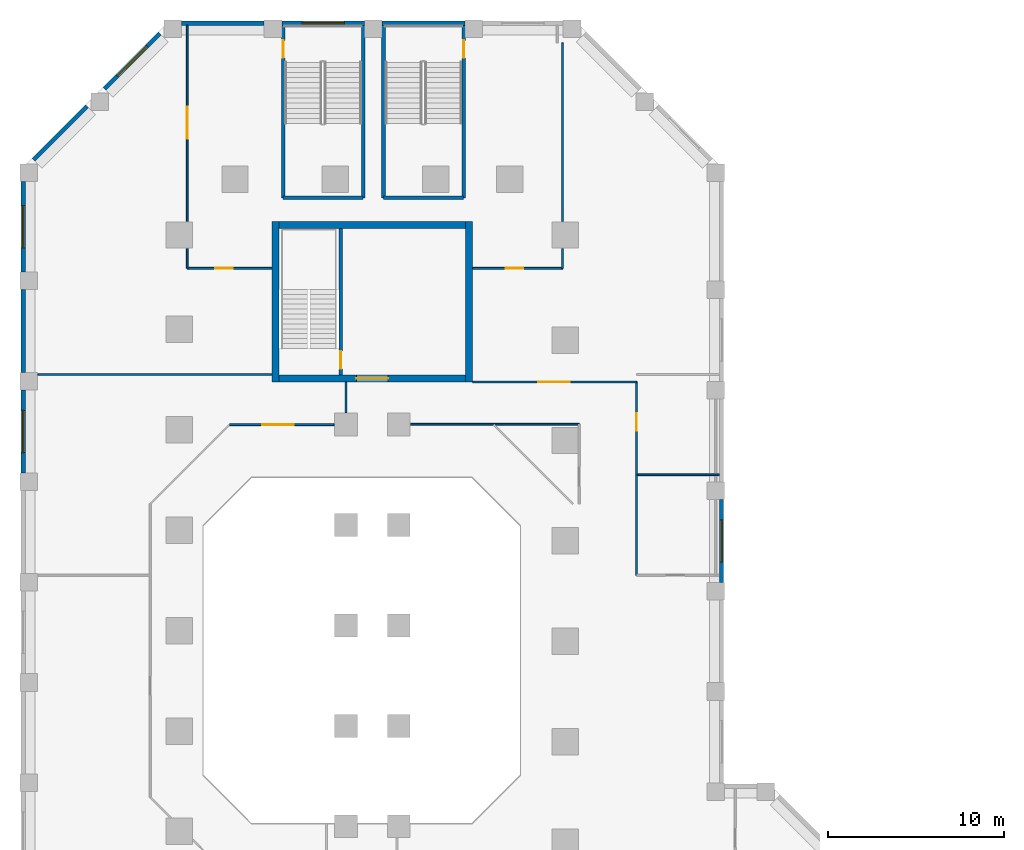
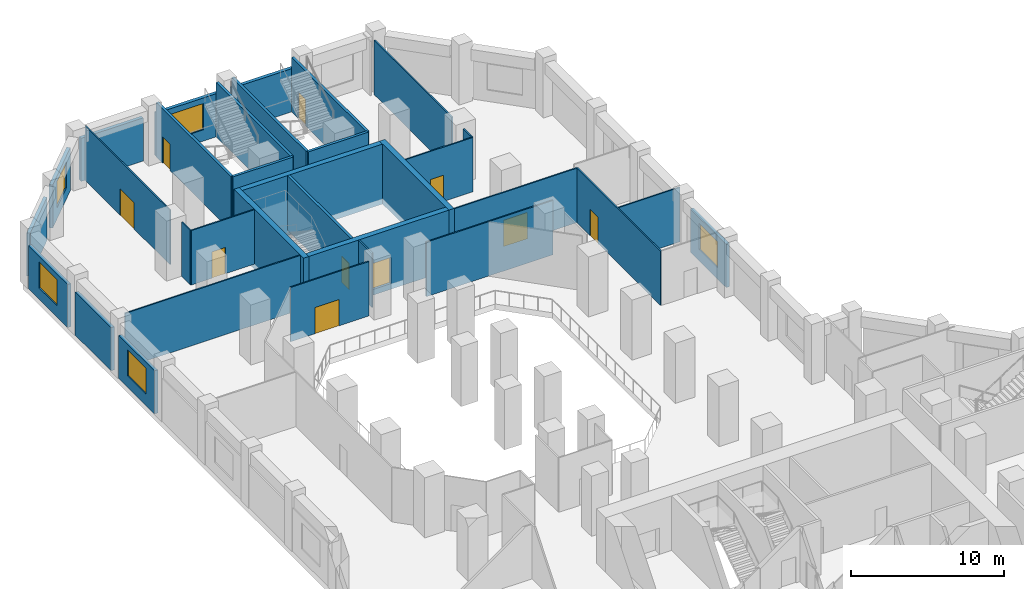
# One storey, part 9 of 16: 33 walls, 10 doors, 5 windows, 15 openings.
"""IFC4 building model written with IfcOpenShell, lengths in metres."""

from ifc_helpers import new_model, si_unit, direction, frame, frame_2d, origin, place, context, subcontext, project, spatial, rectangle, extrude, material, layer, layer_set, type_object, element, fill, save


model = new_model("IFC4")

# Units and contexts
model_context = context("Model", 3, precision=1e-05, world=origin(), true_north=direction((0.0, 1.0)))
body_context = subcontext(model_context, "Body", "Model", "MODEL_VIEW")
ifc_project = project(units=[si_unit("LENGTHUNIT", "METRE"), si_unit("AREAUNIT", "SQUARE_METRE"), si_unit("VOLUMEUNIT", "CUBIC_METRE"), si_unit("PLANEANGLEUNIT", "RADIAN"), si_unit("MASSUNIT", "GRAM", prefix="KILO")], contexts=[model_context])

# Site, building, storey
site_placement = place(None, origin())
site = spatial("IfcSite", under=ifc_project, at=site_placement, CompositionType="ELEMENT")
building_placement = place(site_placement, origin())
building = spatial("IfcBuilding", under=site, at=building_placement, Name="Meshkara Civic Tower", CompositionType="ELEMENT")
storey_placement = place(building_placement, frame((0.0, 0.0, 18.60009765625)))
storey = spatial("IfcBuildingStorey", under=building, at=storey_placement, Name="L03", CompositionType="ELEMENT", Elevation=18.60009765625)

# Wall, opening, door
ifc_material_1 = material(Name="Corridor wall 100")
ifc_layer_1 = layer(ifc_material_1, 0.10009765625)
ifc_layer_set_1 = layer_set([ifc_layer_1], Name="Corridor wall 100")
wall_type_1 = type_object("IfcWallType", Name="Corridor wall 100", PredefinedType="PARTITIONING", material=ifc_layer_set_1)
wall_1_placement = place(storey_placement, frame((0.89990234375, 77.719970703125, 0.0), z_axis=(0.0, 0.0, 1.0), x_axis=(1.0, 0.0, 0.0)))
wall_1 = element("IfcWall", 1, at=wall_1_placement, inside=storey, type_object=wall_type_1, Name="L03-R003", PredefinedType="PARTITIONING", context=body_context, shape_type="SweptSolid", body=[
    extrude(rectangle(XDim=4.800048828125, YDim=0.10009765625, at=frame_2d((2.39990234375, 0.0))), origin(), (0.0, 0.0, 1.0), 4.349853515625),
])
opening_1_placement = place(wall_1_placement, frame((1.580078125, 0.0, 0.0)))
opening_1 = element("IfcOpeningElement", 2, at=opening_1_placement, cuts=wall_1, Name="Opening L03-P036", PredefinedType="OPENING", context=body_context, shape_type="SweptSolid", body=[
    extrude(rectangle(XDim=1.0, YDim=2.10009765625, at=frame_2d((0.5, 1.050048828125))), frame((0.0, 0.06005859375, 0.0), z_axis=(0.0, -1.0, 0.0), x_axis=(1.0, 0.0, 0.0)), (0.0, 0.0, 1.0), 0.1201171875),
])
ifc_material_2 = material(Name="Door 1000 x 2100")
door_type_1 = type_object("IfcDoorType", Name="Door 1000 x 2100", OperationType="SINGLE_SWING_LEFT", PredefinedType="DOOR", material=ifc_material_2)
door_1_placement = place(opening_1_placement, origin())
door_1 = element("IfcDoor", 3, at=door_1_placement, inside=storey, type_object=door_type_1, Name="L03-P036", OperationType="SINGLE_SWING_RIGHT", OverallHeight=2.10009765625, OverallWidth=1.0, PredefinedType="DOOR", context=body_context, shape_type="SweptSolid", body=[
    extrude(rectangle(XDim=1.0, YDim=2.10009765625, at=frame_2d((0.5, 1.050048828125))), frame((0.0, 0.02490234375, 0.0), z_axis=(0.0, -1.0, 0.0), x_axis=(1.0, 0.0, 0.0)), (0.0, 0.0, 1.0), 0.050048828125),
])
fill(opening_1, door_1)

# Wall
wall_2_placement = place(storey_placement, frame((0.89990234375, 78.843994140625, 0.0), z_axis=(0.0, 0.0, 1.0), x_axis=(0.0, -1.0, 0.0)))
element("IfcWall", 4, at=wall_2_placement, inside=storey, type_object=wall_type_1, Name="L03-R004", PredefinedType="PARTITIONING", context=body_context, shape_type="SweptSolid", body=[
    extrude(rectangle(XDim=1.1240234375, YDim=0.10009765625, at=frame_2d((0.56201171875, 0.0))), origin(), (0.0, 0.0, 1.0), 4.349853515625),
])

# Wall, opening, door
wall_3_placement = place(storey_placement, frame((0.89990234375, 91.52001953125, 0.0), z_axis=(0.0, 0.0, 1.0), x_axis=(0.0, -1.0, 0.0)))
wall_3 = element("IfcWall", 5, at=wall_3_placement, inside=storey, type_object=wall_type_1, Name="L03-R005", PredefinedType="PARTITIONING", context=body_context, shape_type="SweptSolid", body=[
    extrude(rectangle(XDim=11.135986328125, YDim=0.10009765625, at=frame_2d((5.56787109375, 0.0))), origin(), (0.0, 0.0, 1.0), 4.349853515625),
])
opening_2_placement = place(wall_3_placement, frame((4.6298828125, 0.0, 0.0)))
opening_2 = element("IfcOpeningElement", 6, at=opening_2_placement, cuts=wall_3, Name="Opening L03-P038", PredefinedType="OPENING", context=body_context, shape_type="SweptSolid", body=[
    extrude(rectangle(XDim=1.800048828125, YDim=2.10009765625, at=frame_2d((0.89990234375, 1.050048828125))), frame((0.0, 0.06005859375, 0.0), z_axis=(0.0, -1.0, 0.0), x_axis=(1.0, 0.0, 0.0)), (0.0, 0.0, 1.0), 0.1201171875),
])
ifc_material_3 = material(Name="Door pair 1800 x 2100")
door_type_2 = type_object("IfcDoorType", Name="Door pair 1800 x 2100", OperationType="SINGLE_SWING_LEFT", PredefinedType="DOOR", material=ifc_material_3)
door_2_placement = place(opening_2_placement, origin())
door_2 = element("IfcDoor", 7, at=door_2_placement, inside=storey, type_object=door_type_2, Name="L03-P038", OperationType="DOUBLE_DOOR_SINGLE_SWING", OverallHeight=2.10009765625, OverallWidth=1.800048828125, PredefinedType="DOOR", context=body_context, shape_type="SweptSolid", body=[
    extrude(rectangle(XDim=1.800048828125, YDim=2.10009765625, at=frame_2d((0.89990234375, 1.050048828125))), frame((0.0, 0.02490234375, 0.0), z_axis=(0.0, -1.0, 0.0), x_axis=(1.0, 0.0, 0.0)), (0.0, 0.0, 1.0), 0.050048828125),
])
fill(opening_2, door_2)

wall_4_placement = place(storey_placement, frame((9.22998046875, 68.85009765625, 0.0), z_axis=(0.0, 0.0, 1.0), x_axis=(-1.0, 0.0, 0.0)))
wall_4 = element("IfcWall", 8, at=wall_4_placement, inside=storey, type_object=wall_type_1, Name="L03-R017", PredefinedType="PARTITIONING", context=body_context, shape_type="SweptSolid", body=[
    extrude(rectangle(XDim=5.929931640625, YDim=0.10009765625, at=frame_2d((2.96484375, 0.0))), origin(), (0.0, 0.0, 1.0), 4.349853515625),
])
opening_3_placement = place(wall_4_placement, frame((2.280029296875, 0.0, 0.0)))
opening_3 = element("IfcOpeningElement", 9, at=opening_3_placement, cuts=wall_4, Name="Opening L03-P033", PredefinedType="OPENING", context=body_context, shape_type="SweptSolid", body=[
    extrude(rectangle(XDim=1.800048828125, YDim=2.10009765625, at=frame_2d((0.89990234375, 1.050048828125))), frame((0.0, 0.06005859375, 0.0), z_axis=(0.0, -1.0, 0.0), x_axis=(1.0, 0.0, 0.0)), (0.0, 0.0, 1.0), 0.1201171875),
])
door_3_placement = place(opening_3_placement, origin())
door_3 = element("IfcDoor", 10, at=door_3_placement, inside=storey, type_object=door_type_2, Name="L03-P033", OperationType="DOUBLE_DOOR_SINGLE_SWING", OverallHeight=2.10009765625, OverallWidth=1.800048828125, PredefinedType="DOOR", context=body_context, shape_type="SweptSolid", body=[
    extrude(rectangle(XDim=1.800048828125, YDim=2.10009765625, at=frame_2d((0.89990234375, 1.050048828125))), frame((0.0, 0.02490234375, 0.0), z_axis=(0.0, -1.0, 0.0), x_axis=(1.0, 0.0, 0.0)), (0.0, 0.0, 1.0), 0.050048828125),
])
fill(opening_3, door_3)

# Walls
wall_5_placement = place(storey_placement, frame((9.89990234375, 71.27001953125, 0.0), z_axis=(0.0, 0.0, 1.0), x_axis=(0.0, -1.0, 0.0)))
element("IfcWall", 11, at=wall_5_placement, inside=storey, type_object=wall_type_1, Name="L03-R018", PredefinedType="PARTITIONING", context=body_context, shape_type="SweptSolid", body=[
    extrude(rectangle(XDim=1.75, YDim=0.10009765625, at=frame_2d((0.875, 0.0))), origin(), (0.0, 0.0, 1.0), 4.349853515625),
])
wall_6_placement = place(storey_placement, frame((13.570068359375, 68.8701171875, 0.0), z_axis=(0.0, 0.0, 1.0), x_axis=(1.0, 0.0, 0.0)))
element("IfcWall", 12, at=wall_6_placement, inside=storey, type_object=wall_type_1, Name="L03-R024", PredefinedType="PARTITIONING", context=body_context, shape_type="SweptSolid", body=[
    extrude(rectangle(XDim=9.579833984375, YDim=0.10009765625, at=frame_2d((4.7900390625, 0.0))), origin(), (0.0, 0.0, 1.0), 4.349853515625),
])

# Wall, opening, door
wall_7_placement = place(storey_placement, frame((17.10009765625, 77.719970703125, 0.0), z_axis=(0.0, 0.0, 1.0), x_axis=(1.0, 0.0, 0.0)))
wall_7 = element("IfcWall", 13, at=wall_7_placement, inside=storey, type_object=wall_type_1, Name="L03-R027", PredefinedType="PARTITIONING", context=body_context, shape_type="SweptSolid", body=[
    extrude(rectangle(XDim=5.099853515625, YDim=0.10009765625, at=frame_2d((2.5498046875, 0.0))), origin(), (0.0, 0.0, 1.0), 4.349853515625),
])
opening_4_placement = place(wall_7_placement, frame((1.8798828125, 0.0, 0.0)))
opening_4 = element("IfcOpeningElement", 14, at=opening_4_placement, cuts=wall_7, Name="Opening L03-P037", PredefinedType="OPENING", context=body_context, shape_type="SweptSolid", body=[
    extrude(rectangle(XDim=1.0, YDim=2.10009765625, at=frame_2d((0.5, 1.050048828125))), frame((0.0, 0.06005859375, 0.0), z_axis=(0.0, -1.0, 0.0), x_axis=(1.0, 0.0, 0.0)), (0.0, 0.0, 1.0), 0.1201171875),
])
door_4_placement = place(opening_4_placement, origin())
door_4 = element("IfcDoor", 15, at=door_4_placement, inside=storey, type_object=door_type_1, Name="L03-P037", OperationType="SINGLE_SWING_LEFT", OverallHeight=2.10009765625, OverallWidth=1.0, PredefinedType="DOOR", context=body_context, shape_type="SweptSolid", body=[
    extrude(rectangle(XDim=1.0, YDim=2.10009765625, at=frame_2d((0.5, 1.050048828125))), frame((0.0, 0.02490234375, 0.0), z_axis=(0.0, -1.0, 0.0), x_axis=(1.0, 0.0, 0.0)), (0.0, 0.0, 1.0), 0.050048828125),
])
fill(opening_4, door_4)

# Walls
wall_8_placement = place(storey_placement, frame((22.199951171875, 77.719970703125, 0.0), z_axis=(0.0, 0.0, 1.0), x_axis=(0.0, 1.0, 0.0)))
element("IfcWall", 16, at=wall_8_placement, inside=storey, type_object=wall_type_1, Name="L03-R030", PredefinedType="PARTITIONING", context=body_context, shape_type="SweptSolid", body=[
    extrude(rectangle(XDim=1.1240234375, YDim=0.10009765625, at=frame_2d((0.56201171875, 0.0))), origin(), (0.0, 0.0, 1.0), 4.349853515625),
])
wall_9_placement = place(storey_placement, frame((22.199951171875, 80.384033203125, 0.0), z_axis=(0.0, 0.0, 1.0), x_axis=(0.0, 1.0, 0.0)))
element("IfcWall", 17, at=wall_9_placement, inside=storey, type_object=wall_type_1, Name="L03-R031", PredefinedType="PARTITIONING", context=body_context, shape_type="SweptSolid", body=[
    extrude(rectangle(XDim=10.135986328125, YDim=0.10009765625, at=frame_2d((5.06787109375, 0.0))), origin(), (0.0, 0.0, 1.0), 4.349853515625),
])

# Wall, opening, door
wall_10_placement = place(storey_placement, frame((26.39990234375, 71.27001953125, 0.0), z_axis=(0.0, 0.0, 1.0), x_axis=(-1.0, 0.0, 0.0)))
wall_10 = element("IfcWall", 18, at=wall_10_placement, inside=storey, type_object=wall_type_1, Name="L03-R035", PredefinedType="PARTITIONING", context=body_context, shape_type="SweptSolid", body=[
    extrude(rectangle(XDim=9.2998046875, YDim=0.10009765625, at=frame_2d((4.64990234375, 0.0))), origin(), (0.0, 0.0, 1.0), 4.349853515625),
])
opening_5_placement = place(wall_10_placement, frame((3.780029296875, 0.0, 0.0)))
opening_5 = element("IfcOpeningElement", 19, at=opening_5_placement, cuts=wall_10, Name="Opening L03-P034", PredefinedType="OPENING", context=body_context, shape_type="SweptSolid", body=[
    extrude(rectangle(XDim=1.800048828125, YDim=2.10009765625, at=frame_2d((0.89990234375, 1.050048828125))), frame((0.0, 0.06005859375, 0.0), z_axis=(0.0, -1.0, 0.0), x_axis=(1.0, 0.0, 0.0)), (0.0, 0.0, 1.0), 0.1201171875),
])
door_5_placement = place(opening_5_placement, origin())
door_5 = element("IfcDoor", 20, at=door_5_placement, inside=storey, type_object=door_type_2, Name="L03-P034", OperationType="DOUBLE_DOOR_SINGLE_SWING", OverallHeight=2.10009765625, OverallWidth=1.800048828125, PredefinedType="DOOR", context=body_context, shape_type="SweptSolid", body=[
    extrude(rectangle(XDim=1.800048828125, YDim=2.10009765625, at=frame_2d((0.89990234375, 1.050048828125))), frame((0.0, 0.02490234375, 0.0), z_axis=(0.0, -1.0, 0.0), x_axis=(1.0, 0.0, 0.0)), (0.0, 0.0, 1.0), 0.050048828125),
])
fill(opening_5, door_5)

wall_11_placement = place(storey_placement, frame((26.39990234375, 71.27001953125, 0.0), z_axis=(0.0, 0.0, 1.0), x_axis=(0.0, -1.0, 0.0)))
wall_11 = element("IfcWall", 21, at=wall_11_placement, inside=storey, type_object=wall_type_1, Name="L03-R036", PredefinedType="PARTITIONING", context=body_context, shape_type="SweptSolid", body=[
    extrude(rectangle(XDim=10.969970703125, YDim=0.10009765625, at=frame_2d((5.48486328125, 0.0))), origin(), (0.0, 0.0, 1.0), 4.349853515625),
])
opening_6_placement = place(wall_11_placement, frame((1.780029296875, 0.0, 0.0)))
opening_6 = element("IfcOpeningElement", 22, at=opening_6_placement, cuts=wall_11, Name="Opening L03-P035", PredefinedType="OPENING", context=body_context, shape_type="SweptSolid", body=[
    extrude(rectangle(XDim=1.0, YDim=2.10009765625, at=frame_2d((0.5, 1.050048828125))), frame((0.0, 0.06005859375, 0.0), z_axis=(0.0, -1.0, 0.0), x_axis=(1.0, 0.0, 0.0)), (0.0, 0.0, 1.0), 0.1201171875),
])
door_6_placement = place(opening_6_placement, origin())
door_6 = element("IfcDoor", 23, at=door_6_placement, inside=storey, type_object=door_type_1, Name="L03-P035", OperationType="SINGLE_SWING_LEFT", OverallHeight=2.10009765625, OverallWidth=1.0, PredefinedType="DOOR", context=body_context, shape_type="SweptSolid", body=[
    extrude(rectangle(XDim=1.0, YDim=2.10009765625, at=frame_2d((0.5, 1.050048828125))), frame((0.0, 0.02490234375, 0.0), z_axis=(0.0, -1.0, 0.0), x_axis=(1.0, 0.0, 0.0)), (0.0, 0.0, 1.0), 0.050048828125),
])
fill(opening_6, door_6)

# Walls
ifc_material_4 = material(Name="Concrete C80", Category="concrete")
ifc_layer_2 = layer(ifc_material_4, 0.39990234375)
ifc_layer_set_2 = layer_set([ifc_layer_2], Name="End core ring wall 400 C80")
wall_type_2 = type_object("IfcWallType", Name="End core ring wall 400 C80", PredefinedType="SHEAR", material=ifc_layer_set_2)
for number, where, z_axis, x_axis, name in (
    (24, (5.89990234375, 71.27001953125, -0.4501953125), (0.0, 0.0, 1.0), (0.0, 1.0, 0.0), "L03-C025"),
    (25, (16.89990234375, 71.27001953125, -0.4501953125), (0.0, 0.0, 1.0), (0.0, 1.0, 0.0), "L03-C026"),
):
    element("IfcWall", number, at=place(storey_placement, frame(where, z_axis=z_axis, x_axis=x_axis)), inside=storey, type_object=wall_type_2, Name=name, PredefinedType="SHEAR", context=body_context, shape_type="SweptSolid", body=[
        extrude(rectangle(XDim=9.10009765625, YDim=0.39990234375, at=frame_2d((4.550048828125, 0.0))), origin(), (0.0, 0.0, 1.0), 4.800048828125),
    ])

# Wall, opening, door
wall_12_placement = place(storey_placement, frame((6.10009765625, 71.469970703125, -0.4501953125), z_axis=(0.0, 0.0, 1.0), x_axis=(1.0, 0.0, 0.0)))
wall_12 = element("IfcWall", 26, at=wall_12_placement, inside=storey, type_object=wall_type_2, Name="L03-C027", PredefinedType="SHEAR", context=body_context, shape_type="SweptSolid", body=[
    extrude(rectangle(XDim=10.599853515625, YDim=0.39990234375, at=frame_2d((5.2998046875, 0.0))), origin(), (0.0, 0.0, 1.0), 4.800048828125),
])
opening_7_placement = place(wall_12_placement, frame((4.39990234375, 0.0, 0.449951171875)))
opening_7 = element("IfcOpeningElement", 27, at=opening_7_placement, cuts=wall_12, Name="Opening L03-K102", PredefinedType="OPENING", context=body_context, shape_type="SweptSolid", body=[
    extrude(rectangle(XDim=1.800048828125, YDim=2.10009765625, at=frame_2d((0.89990234375, 1.050048828125))), frame((0.0, 0.2099609375, 0.0), z_axis=(0.0, -1.0, 0.0), x_axis=(1.0, 0.0, 0.0)), (0.0, 0.0, 1.0), 0.419921875),
])
ifc_material_5 = material(Name="Fire-rated door leaf in steel frame", Category="steel")
door_type_3 = type_object("IfcDoorType", Name="Core double door 1800 EI 60", OperationType="DOUBLE_DOOR_SINGLE_SWING", PredefinedType="DOOR", material=ifc_material_5)
door_7_placement = place(opening_7_placement, origin())
door_7 = element("IfcDoor", 28, at=door_7_placement, inside=storey, type_object=door_type_3, Name="L03-K102", OperationType="DOUBLE_DOOR_SINGLE_SWING", OverallHeight=2.10009765625, OverallWidth=1.800048828125, PredefinedType="DOOR", context=body_context, shape_type="SweptSolid", body=[
    extrude(rectangle(XDim=1.800048828125, YDim=2.10009765625, at=frame_2d((0.89990234375, 1.050048828125))), frame((0.0, 0.02490234375, 0.0), z_axis=(0.0, -1.0, 0.0), x_axis=(1.0, 0.0, 0.0)), (0.0, 0.0, 1.0), 0.050048828125),
])
fill(opening_7, door_7)

# Walls
wall_13_placement = place(storey_placement, frame((6.10009765625, 80.169921875, -0.4501953125), z_axis=(0.0, 0.0, 1.0), x_axis=(1.0, 0.0, 0.0)))
element("IfcWall", 29, at=wall_13_placement, inside=storey, type_object=wall_type_2, Name="L03-C028", PredefinedType="SHEAR", context=body_context, shape_type="SweptSolid", body=[
    extrude(rectangle(XDim=10.599853515625, YDim=0.39990234375, at=frame_2d((5.2998046875, 0.0))), origin(), (0.0, 0.0, 1.0), 4.800048828125),
])
ifc_material_6 = material(Name="Stone cladding on insulated backing wall", Category="masonry")
ifc_layer_3 = layer(ifc_material_6, 0.25)
ifc_layer_set_3 = layer_set([ifc_layer_3], Name="PODIUM STONE WALL 250")
wall_type_3 = type_object("IfcWallType", Name="PODIUM STONE WALL 250", PredefinedType="SOLIDWALL", material=ifc_layer_set_3)
wall_14_placement = place(storey_placement, frame((16.6640625, 91.64501953125, 0.0), z_axis=(0.0, 0.0, 1.0), x_axis=(-1.0, 0.0, 0.0)))
element("IfcWall", 30, at=wall_14_placement, inside=storey, type_object=wall_type_3, Name="Podium external wall", PredefinedType="SOLIDWALL", context=body_context, shape_type="SweptSolid", body=[
    extrude(rectangle(XDim=4.699951171875, YDim=0.25, at=frame_2d((2.35009765625, 0.0))), origin(), (0.0, 0.0, 1.0), 3.449951171875),
])

# Wall, opening, window
wall_15_placement = place(storey_placement, frame((10.964111328125, 91.64501953125, 0.0), z_axis=(0.0, 0.0, 1.0), x_axis=(-1.0, 0.0, 0.0)))
wall_15 = element("IfcWall", 31, at=wall_15_placement, inside=storey, type_object=wall_type_3, Name="Podium external wall", PredefinedType="SOLIDWALL", context=body_context, shape_type="SweptSolid", body=[
    extrude(rectangle(XDim=4.7001953125, YDim=0.25, at=frame_2d((2.35009765625, 0.0))), origin(), (0.0, 0.0, 1.0), 3.449951171875),
])
opening_8_placement = place(wall_15_placement, frame((1.14990234375, 0.0, 0.89990234375)))
opening_8 = element("IfcOpeningElement", 32, at=opening_8_placement, cuts=wall_15, Name="Opening PW10", PredefinedType="OPENING", context=body_context, shape_type="SweptSolid", body=[
    extrude(rectangle(XDim=2.39990234375, YDim=2.10009765625, at=frame_2d((1.199951171875, 1.050048828125))), frame((0.0, 0.135009765625, 0.0), z_axis=(0.0, -1.0, 0.0), x_axis=(1.0, 0.0, 0.0)), (0.0, 0.0, 1.0), 0.27001953125),
])
ifc_material_7 = material(Name="Tinted double glazing", Category="glass")
window_type = type_object("IfcWindowType", Name="PODIUM WINDOW 2400x2100", PartitioningType="DOUBLE_PANEL_VERTICAL", PredefinedType="WINDOW", material=ifc_material_7)
window_1_placement = place(opening_8_placement, origin())
window_1 = element("IfcWindow", 33, at=window_1_placement, inside=storey, type_object=window_type, Name="Podium window", OverallHeight=2.10009765625, OverallWidth=2.39990234375, PartitioningType="DOUBLE_PANEL_VERTICAL", PredefinedType="WINDOW", context=body_context, shape_type="SweptSolid", body=[
    extrude(rectangle(XDim=2.39990234375, YDim=2.10009765625, at=frame_2d((1.199951171875, 1.050048828125))), frame((0.0, 0.030029296875, 0.0), z_axis=(0.0, -1.0, 0.0), x_axis=(1.0, 0.0, 0.0)), (0.0, 0.0, 1.0), 0.06005859375),
])
fill(opening_8, window_1)

# Wall
wall_16_placement = place(storey_placement, frame((5.263916015625, 91.64501953125, 0.0), z_axis=(0.0, 0.0, 1.0), x_axis=(-1.0, 0.0, 0.0)))
element("IfcWall", 34, at=wall_16_placement, inside=storey, type_object=wall_type_3, Name="Podium external wall", PredefinedType="SOLIDWALL", context=body_context, shape_type="SweptSolid", body=[
    extrude(rectangle(XDim=4.699951171875, YDim=0.25, at=frame_2d((2.35009765625, 0.0))), origin(), (0.0, 0.0, 1.0), 3.449951171875),
])

# Wall, opening, window
wall_17_placement = place(storey_placement, frame((-0.666015625, 91.050048828125, 0.0), z_axis=(0.0, 0.0, 1.0), x_axis=(-0.707106781187, -0.707106781187, 0.0)))
wall_17 = element("IfcWall", 35, at=wall_17_placement, inside=storey, type_object=wall_type_3, Name="Podium external wall", PredefinedType="SOLIDWALL", context=body_context, shape_type="SweptSolid", body=[
    extrude(rectangle(XDim=4.430908203125, YDim=0.25, at=frame_2d((2.21533203125, 0.0))), origin(), (0.0, 0.0, 1.0), 3.449951171875),
])
opening_9_placement = place(wall_17_placement, frame((1.014892578125, 0.0, 0.89990234375)))
opening_9 = element("IfcOpeningElement", 36, at=opening_9_placement, cuts=wall_17, Name="Opening PW10", PredefinedType="OPENING", context=body_context, shape_type="SweptSolid", body=[
    extrude(rectangle(XDim=2.39990234375, YDim=2.10009765625, at=frame_2d((1.199951171875, 1.050048828125))), frame((0.0, 0.135009765625, 0.0), z_axis=(0.0, -1.0, 0.0), x_axis=(1.0, 0.0, 0.0)), (0.0, 0.0, 1.0), 0.27001953125),
])
window_2_placement = place(opening_9_placement, origin())
window_2 = element("IfcWindow", 37, at=window_2_placement, inside=storey, type_object=window_type, Name="Podium window", OverallHeight=2.10009765625, OverallWidth=2.39990234375, PartitioningType="DOUBLE_PANEL_VERTICAL", PredefinedType="WINDOW", context=body_context, shape_type="SweptSolid", body=[
    extrude(rectangle(XDim=2.39990234375, YDim=2.10009765625, at=frame_2d((1.199951171875, 1.050048828125))), frame((0.0, 0.030029296875, 0.0), z_axis=(0.0, -1.0, 0.0), x_axis=(1.0, 0.0, 0.0)), (0.0, 0.0, 1.0), 0.06005859375),
])
fill(opening_9, window_2)

# Wall
wall_18_placement = place(storey_placement, frame((-4.799072265625, 86.9169921875, 0.0), z_axis=(0.0, 0.0, 1.0), x_axis=(-0.707106781187, -0.707106781187, 0.0)))
element("IfcWall", 38, at=wall_18_placement, inside=storey, type_object=wall_type_3, Name="Podium external wall", PredefinedType="SOLIDWALL", context=body_context, shape_type="SweptSolid", body=[
    extrude(rectangle(XDim=4.286376953125, YDim=0.25, at=frame_2d((2.14306640625, 0.0))), origin(), (0.0, 0.0, 1.0), 3.449951171875),
])

# Wall, opening, window
wall_19_placement = place(storey_placement, frame((-8.425048828125, 82.656005859375, 0.0), z_axis=(0.0, 0.0, 1.0), x_axis=(0.0, -1.0, 0.0)))
wall_19 = element("IfcWall", 39, at=wall_19_placement, inside=storey, type_object=wall_type_3, Name="Podium external wall", PredefinedType="SOLIDWALL", context=body_context, shape_type="SweptSolid", body=[
    extrude(rectangle(XDim=5.14501953125, YDim=0.25, at=frame_2d((2.572509765625, 0.0))), origin(), (0.0, 0.0, 1.0), 3.449951171875),
])
opening_10_placement = place(wall_19_placement, frame((1.373046875, 0.0, 0.89990234375)))
opening_10 = element("IfcOpeningElement", 40, at=opening_10_placement, cuts=wall_19, Name="Opening PW10", PredefinedType="OPENING", context=body_context, shape_type="SweptSolid", body=[
    extrude(rectangle(XDim=2.39990234375, YDim=2.10009765625, at=frame_2d((1.199951171875, 1.050048828125))), frame((0.0, 0.135009765625, 0.0), z_axis=(0.0, -1.0, 0.0), x_axis=(1.0, 0.0, 0.0)), (0.0, 0.0, 1.0), 0.27001953125),
])
window_3_placement = place(opening_10_placement, origin())
window_3 = element("IfcWindow", 41, at=window_3_placement, inside=storey, type_object=window_type, Name="Podium window", OverallHeight=2.10009765625, OverallWidth=2.39990234375, PartitioningType="DOUBLE_PANEL_VERTICAL", PredefinedType="WINDOW", context=body_context, shape_type="SweptSolid", body=[
    extrude(rectangle(XDim=2.39990234375, YDim=2.10009765625, at=frame_2d((1.199951171875, 1.050048828125))), frame((0.0, 0.030029296875, 0.0), z_axis=(0.0, -1.0, 0.0), x_axis=(1.0, 0.0, 0.0)), (0.0, 0.0, 1.0), 0.06005859375),
])
fill(opening_10, window_3)

# Wall
wall_20_placement = place(storey_placement, frame((-8.425048828125, 76.510986328125, 0.0), z_axis=(0.0, 0.0, 1.0), x_axis=(0.0, -1.0, 0.0)))
element("IfcWall", 42, at=wall_20_placement, inside=storey, type_object=wall_type_3, Name="Podium external wall", PredefinedType="SOLIDWALL", context=body_context, shape_type="SweptSolid", body=[
    extrude(rectangle(XDim=4.699951171875, YDim=0.25, at=frame_2d((2.35009765625, 0.0))), origin(), (0.0, 0.0, 1.0), 3.449951171875),
])

# Wall, opening, window
wall_21_placement = place(storey_placement, frame((-8.425048828125, 70.81103515625, 0.0), z_axis=(0.0, 0.0, 1.0), x_axis=(0.0, -1.0, 0.0)))
wall_21 = element("IfcWall", 43, at=wall_21_placement, inside=storey, type_object=wall_type_3, Name="Podium external wall", PredefinedType="SOLIDWALL", context=body_context, shape_type="SweptSolid", body=[
    extrude(rectangle(XDim=4.699951171875, YDim=0.25, at=frame_2d((2.35009765625, 0.0))), origin(), (0.0, 0.0, 1.0), 3.449951171875),
])
opening_11_placement = place(wall_21_placement, frame((1.14990234375, 0.0, 0.89990234375)))
opening_11 = element("IfcOpeningElement", 44, at=opening_11_placement, cuts=wall_21, Name="Opening PW10", PredefinedType="OPENING", context=body_context, shape_type="SweptSolid", body=[
    extrude(rectangle(XDim=2.39990234375, YDim=2.10009765625, at=frame_2d((1.199951171875, 1.050048828125))), frame((0.0, 0.135009765625, 0.0), z_axis=(0.0, -1.0, 0.0), x_axis=(1.0, 0.0, 0.0)), (0.0, 0.0, 1.0), 0.27001953125),
])
window_4_placement = place(opening_11_placement, origin())
window_4 = element("IfcWindow", 45, at=window_4_placement, inside=storey, type_object=window_type, Name="Podium window", OverallHeight=2.10009765625, OverallWidth=2.39990234375, PartitioningType="DOUBLE_PANEL_VERTICAL", PredefinedType="WINDOW", context=body_context, shape_type="SweptSolid", body=[
    extrude(rectangle(XDim=2.39990234375, YDim=2.10009765625, at=frame_2d((1.199951171875, 1.050048828125))), frame((0.0, 0.030029296875, 0.0), z_axis=(0.0, -1.0, 0.0), x_axis=(1.0, 0.0, 0.0)), (0.0, 0.0, 1.0), 0.06005859375),
])
fill(opening_11, window_4)

wall_22_placement = place(storey_placement, frame((31.22509765625, 59.89990234375, 0.0), z_axis=(0.0, 0.0, 1.0), x_axis=(0.0, 1.0, 0.0)))
wall_22 = element("IfcWall", 46, at=wall_22_placement, inside=storey, type_object=wall_type_3, Name="Podium external wall", PredefinedType="SOLIDWALL", context=body_context, shape_type="SweptSolid", body=[
    extrude(rectangle(XDim=4.7001953125, YDim=0.25, at=frame_2d((2.35009765625, 0.0))), origin(), (0.0, 0.0, 1.0), 3.449951171875),
])
opening_12_placement = place(wall_22_placement, frame((1.14990234375, 0.0, 0.89990234375)))
opening_12 = element("IfcOpeningElement", 47, at=opening_12_placement, cuts=wall_22, Name="Opening PW10", PredefinedType="OPENING", context=body_context, shape_type="SweptSolid", body=[
    extrude(rectangle(XDim=2.39990234375, YDim=2.10009765625, at=frame_2d((1.199951171875, 1.050048828125))), frame((0.0, 0.135009765625, 0.0), z_axis=(0.0, -1.0, 0.0), x_axis=(1.0, 0.0, 0.0)), (0.0, 0.0, 1.0), 0.27001953125),
])
window_5_placement = place(opening_12_placement, origin())
window_5 = element("IfcWindow", 48, at=window_5_placement, inside=storey, type_object=window_type, Name="Podium window", OverallHeight=2.10009765625, OverallWidth=2.39990234375, PartitioningType="DOUBLE_PANEL_VERTICAL", PredefinedType="WINDOW", context=body_context, shape_type="SweptSolid", body=[
    extrude(rectangle(XDim=2.39990234375, YDim=2.10009765625, at=frame_2d((1.199951171875, 1.050048828125))), frame((0.0, 0.030029296875, 0.0), z_axis=(0.0, -1.0, 0.0), x_axis=(1.0, 0.0, 0.0)), (0.0, 0.0, 1.0), 0.06005859375),
])
fill(opening_12, window_5)

# Walls
ifc_material_8 = material(Name="Partition 100")
ifc_layer_4 = layer(ifc_material_8, 0.10009765625)
ifc_layer_set_4 = layer_set([ifc_layer_4], Name="Partition 100")
wall_type_4 = type_object("IfcWallType", Name="Partition 100", PredefinedType="PARTITIONING", material=ifc_layer_set_4)
wall_23_placement = place(storey_placement, frame((5.699951171875, 71.699951171875, 0.0), z_axis=(0.0, 0.0, 1.0), x_axis=(-1.0, 0.0, 0.0)))
element("IfcWall", 49, at=wall_23_placement, inside=storey, type_object=wall_type_4, Name="L03-R086", PredefinedType="PARTITIONING", context=body_context, shape_type="SweptSolid", body=[
    extrude(rectangle(XDim=13.280029296875, YDim=0.10009765625, at=frame_2d((6.64013671875, 0.0))), origin(), (0.0, 0.0, 1.0), 4.349853515625),
])
wall_24_placement = place(storey_placement, frame((31.10009765625, 66.0, 0.0), z_axis=(0.0, 0.0, 1.0), x_axis=(-1.0, 0.0, 0.0)))
element("IfcWall", 50, at=wall_24_placement, inside=storey, type_object=wall_type_4, Name="L03-R089", PredefinedType="PARTITIONING", context=body_context, shape_type="SweptSolid", body=[
    extrude(rectangle(XDim=4.650146484375, YDim=0.10009765625, at=frame_2d((2.3251953125, 0.0))), origin(), (0.0, 0.0, 1.0), 4.349853515625),
])

# Wall, opening, door
ifc_material_9 = material(Name="Concrete C40/50", Category="concrete")
ifc_layer_5 = layer(ifc_material_9, 0.199951171875)
ifc_layer_set_5 = layer_set([ifc_layer_5], Name="Stair enclosure wall 200 C40/50")
wall_type_5 = type_object("IfcWallType", Name="Stair enclosure wall 200 C40/50", PredefinedType="SOLIDWALL", material=ifc_layer_set_5)
wall_25_placement = place(storey_placement, frame((9.60009765625, 71.669921875, 0.0), z_axis=(0.0, 0.0, 1.0), x_axis=(0.0, 1.0, 0.0)))
wall_25 = element("IfcWall", 51, at=wall_25_placement, inside=storey, type_object=wall_type_5, Name="L03-C029", PredefinedType="SOLIDWALL", context=body_context, shape_type="SweptSolid", body=[
    extrude(rectangle(XDim=8.300048828125, YDim=0.199951171875, at=frame_2d((4.14990234375, 0.0))), origin(), (0.0, 0.0, 1.0), 4.349853515625),
])
opening_13_placement = place(wall_25_placement, frame((0.35009765625, 0.0, 0.0)))
opening_13 = element("IfcOpeningElement", 52, at=opening_13_placement, cuts=wall_25, Name="Opening L03-K101", PredefinedType="OPENING", context=body_context, shape_type="SweptSolid", body=[
    extrude(rectangle(XDim=1.0, YDim=2.10009765625, at=frame_2d((0.5, 1.050048828125))), frame((0.0, 0.10986328125, 0.0), z_axis=(0.0, -1.0, 0.0), x_axis=(1.0, 0.0, 0.0)), (0.0, 0.0, 1.0), 0.219970703125),
])
ifc_material_10 = material(Name="Fire-rated door leaf in steel frame", Category="steel")
door_type_4 = type_object("IfcDoorType", Name="Stair door 1000 EI 120", OperationType="SINGLE_SWING_LEFT", PredefinedType="DOOR", material=ifc_material_10)
door_8_placement = place(opening_13_placement, origin())
door_8 = element("IfcDoor", 53, at=door_8_placement, inside=storey, type_object=door_type_4, Name="L03-K101", OperationType="SINGLE_SWING_RIGHT", OverallHeight=2.10009765625, OverallWidth=1.0, PredefinedType="DOOR", context=body_context, shape_type="SweptSolid", body=[
    extrude(rectangle(XDim=1.0, YDim=2.10009765625, at=frame_2d((0.5, 1.050048828125))), frame((0.0, 0.02490234375, 0.0), z_axis=(0.0, -1.0, 0.0), x_axis=(1.0, 0.0, 0.0)), (0.0, 0.0, 1.0), 0.050048828125),
])
fill(opening_13, door_8)

wall_26_placement = place(storey_placement, frame((6.3349609375, 81.719970703125, 0.0), z_axis=(0.0, 0.0, 1.0), x_axis=(0.0, 1.0, 0.0)))
wall_26 = element("IfcWall", 54, at=wall_26_placement, inside=storey, type_object=wall_type_5, Name="L03-R015", PredefinedType="SOLIDWALL", context=body_context, shape_type="SweptSolid", body=[
    extrude(rectangle(XDim=9.800048828125, YDim=0.199951171875, at=frame_2d((4.89990234375, 0.0))), origin(), (0.0, 0.0, 1.0), 4.349853515625),
])
opening_14_placement = place(wall_26_placement, frame((7.949951171875, 0.0, 0.0)))
opening_14 = element("IfcOpeningElement", 55, at=opening_14_placement, cuts=wall_26, Name="Opening L03-P039", PredefinedType="OPENING", context=body_context, shape_type="SweptSolid", body=[
    extrude(rectangle(XDim=1.0, YDim=2.10009765625, at=frame_2d((0.5, 1.050048828125))), frame((0.0, 0.10986328125, 0.0), z_axis=(0.0, -1.0, 0.0), x_axis=(1.0, 0.0, 0.0)), (0.0, 0.0, 1.0), 0.219970703125),
])
door_9_placement = place(opening_14_placement, origin())
door_9 = element("IfcDoor", 56, at=door_9_placement, inside=storey, type_object=door_type_1, Name="L03-P039", OperationType="SINGLE_SWING_LEFT", OverallHeight=2.10009765625, OverallWidth=1.0, PredefinedType="DOOR", context=body_context, shape_type="SweptSolid", body=[
    extrude(rectangle(XDim=1.0, YDim=2.10009765625, at=frame_2d((0.5, 1.050048828125))), frame((0.0, 0.02490234375, 0.0), z_axis=(0.0, -1.0, 0.0), x_axis=(1.0, 0.0, 0.0)), (0.0, 0.0, 1.0), 0.050048828125),
])
fill(opening_14, door_9)

# Walls
wall_27_placement = place(storey_placement, frame((10.885009765625, 81.719970703125, 0.0), z_axis=(0.0, 0.0, 1.0), x_axis=(-1.0, 0.0, 0.0)))
element("IfcWall", 57, at=wall_27_placement, inside=storey, type_object=wall_type_5, Name="L03-R019", PredefinedType="SOLIDWALL", context=body_context, shape_type="SweptSolid", body=[
    extrude(rectangle(XDim=4.550048828125, YDim=0.199951171875, at=frame_2d((2.27490234375, 0.0))), origin(), (0.0, 0.0, 1.0), 4.349853515625),
])
for number, where, z_axis, x_axis, name in (
    (58, (10.885009765625, 91.52001953125, 0.0), (0.0, 0.0, 1.0), (0.0, -1.0, 0.0), "L03-R020"),
    (59, (12.034912109375, 81.719970703125, 0.0), (0.0, 0.0, 1.0), (0.0, 1.0, 0.0), "L03-R021"),
):
    element("IfcWall", number, at=place(storey_placement, frame(where, z_axis=z_axis, x_axis=x_axis)), inside=storey, type_object=wall_type_5, Name=name, PredefinedType="SOLIDWALL", context=body_context, shape_type="SweptSolid", body=[
        extrude(rectangle(XDim=9.800048828125, YDim=0.199951171875, at=frame_2d((4.89990234375, 0.0))), origin(), (0.0, 0.0, 1.0), 4.349853515625),
    ])
wall_28_placement = place(storey_placement, frame((16.5849609375, 81.719970703125, 0.0), z_axis=(0.0, 0.0, 1.0), x_axis=(-1.0, 0.0, 0.0)))
element("IfcWall", 60, at=wall_28_placement, inside=storey, type_object=wall_type_5, Name="L03-R025", PredefinedType="SOLIDWALL", context=body_context, shape_type="SweptSolid", body=[
    extrude(rectangle(XDim=4.550048828125, YDim=0.199951171875, at=frame_2d((2.27490234375, 0.0))), origin(), (0.0, 0.0, 1.0), 4.349853515625),
])

# Wall, opening, door
wall_29_placement = place(storey_placement, frame((16.5849609375, 91.52001953125, 0.0), z_axis=(0.0, 0.0, 1.0), x_axis=(0.0, -1.0, 0.0)))
wall_29 = element("IfcWall", 61, at=wall_29_placement, inside=storey, type_object=wall_type_5, Name="L03-R026", PredefinedType="SOLIDWALL", context=body_context, shape_type="SweptSolid", body=[
    extrude(rectangle(XDim=9.800048828125, YDim=0.199951171875, at=frame_2d((4.89990234375, 0.0))), origin(), (0.0, 0.0, 1.0), 4.349853515625),
])
opening_15_placement = place(wall_29_placement, frame((0.85009765625, 0.0, 0.0)))
opening_15 = element("IfcOpeningElement", 62, at=opening_15_placement, cuts=wall_29, Name="Opening L03-P040", PredefinedType="OPENING", context=body_context, shape_type="SweptSolid", body=[
    extrude(rectangle(XDim=1.0, YDim=2.10009765625, at=frame_2d((0.5, 1.050048828125))), frame((0.0, 0.10986328125, 0.0), z_axis=(0.0, -1.0, 0.0), x_axis=(1.0, 0.0, 0.0)), (0.0, 0.0, 1.0), 0.219970703125),
])
door_10_placement = place(opening_15_placement, origin())
door_10 = element("IfcDoor", 63, at=door_10_placement, inside=storey, type_object=door_type_1, Name="L03-P040", OperationType="SINGLE_SWING_LEFT", OverallHeight=2.10009765625, OverallWidth=1.0, PredefinedType="DOOR", context=body_context, shape_type="SweptSolid", body=[
    extrude(rectangle(XDim=1.0, YDim=2.10009765625, at=frame_2d((0.5, 1.050048828125))), frame((0.0, 0.02490234375, 0.0), z_axis=(0.0, -1.0, 0.0), x_axis=(1.0, 0.0, 0.0)), (0.0, 0.0, 1.0), 0.050048828125),
])
fill(opening_15, door_10)

save(model, "model.ifc")
